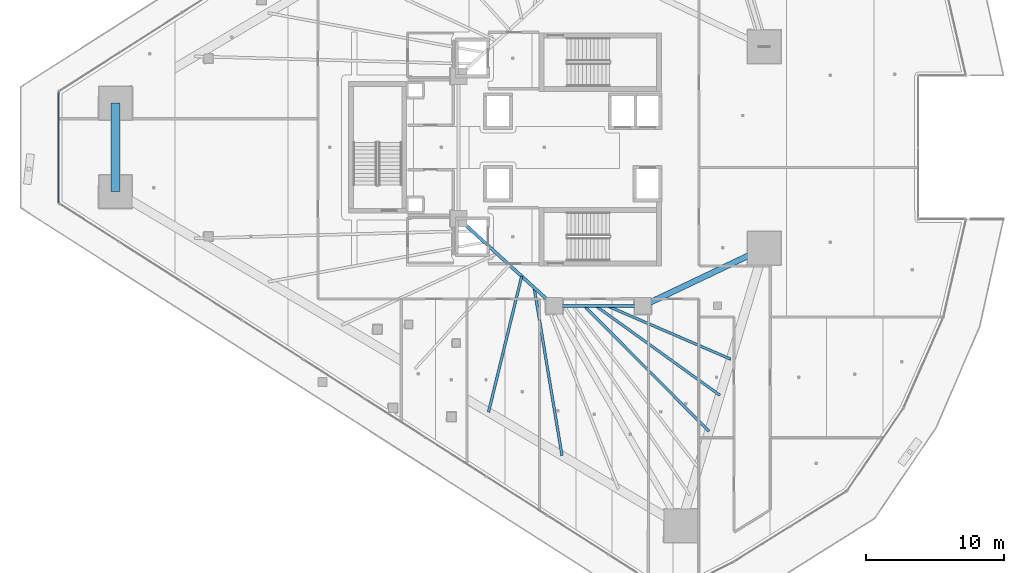
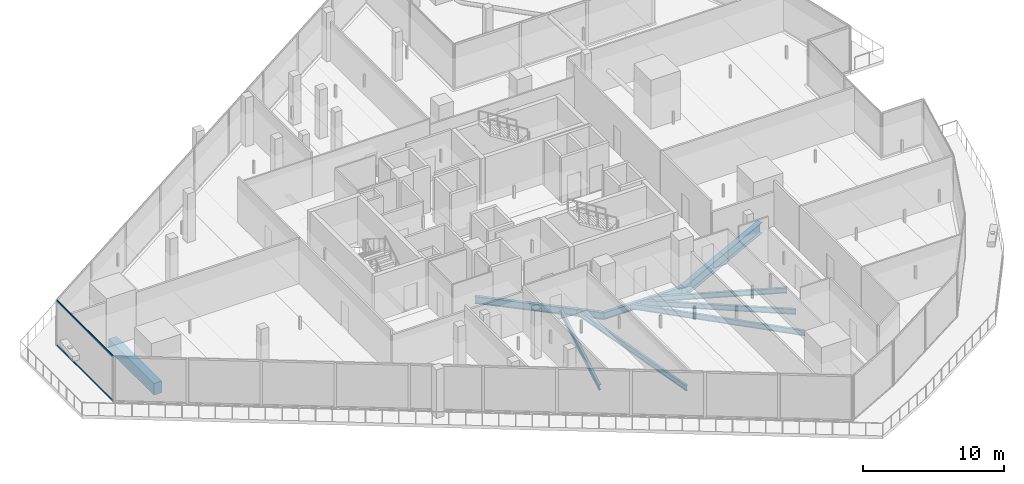
# One storey, part 11 of 44: 9 beams, 2 members, 1 element without a shape of its own.
"""IFC4 building model written with IfcOpenShell, lengths in metres."""

from ifc_helpers import new_model, si_unit, direction, frame, origin, origin_2d, place, context, subcontext, project, spatial, rectangle, hollow_rectangle, i_section, extrude, material, layer, layer_set, material_profile, profile_set, type_object, element, aggregate, save


model = new_model("IFC4")

# Units and contexts
model_context = context("Model", 3, precision=1e-05, world=origin(), true_north=direction((0.0, 1.0)))
body_context = subcontext(model_context, "Body", "Model", "MODEL_VIEW")
ifc_project = project(units=[si_unit("LENGTHUNIT", "METRE"), si_unit("AREAUNIT", "SQUARE_METRE"), si_unit("VOLUMEUNIT", "CUBIC_METRE"), si_unit("PLANEANGLEUNIT", "RADIAN"), si_unit("MASSUNIT", "GRAM", prefix="KILO")], contexts=[model_context])

# Site, building, storey
site_placement = place(None, origin())
site = spatial("IfcSite", under=ifc_project, at=site_placement, CompositionType="ELEMENT")
building_placement = place(site_placement, origin())
building = spatial("IfcBuilding", under=site, at=building_placement, Name="Qorvath Tower", CompositionType="ELEMENT")
storey_placement = place(building_placement, frame((0.0, 0.0, 78.60009765625)))
storey = spatial("IfcBuildingStorey", under=building, at=storey_placement, Name="L17", CompositionType="ELEMENT", Elevation=78.60009765625)

# Beams
ifc_material_1 = material(Name="Steel ASTM A992 Grade 50", Category="steel")
ifc_material_profile_1 = material_profile(ifc_material_1, i_section(OverallWidth=0.422119140625, OverallDepth=0.93310546875, WebThickness=0.021240234375, FlangeThickness=0.039794921875, FilletRadius=0.02392578125, at=origin_2d()), Name="W36x262")
ifc_profile_set_1 = profile_set([ifc_material_profile_1], Name="Steel ASTM A992 Grade 50")
beam_type_1 = type_object("IfcBeamType", Name="BM-FG1", PredefinedType="BEAM", material=ifc_profile_set_1)
beam_1_placement = place(storey_placement, frame((-17.199951171875, -11.449951171875, -0.74658203125), z_axis=(0.902955751435, 0.429733534821, 0.0), x_axis=(-0.429733534821, 0.902955751435, 0.0)))
element("IfcBeam", 1, at=beam_1_placement, inside=storey, type_object=beam_type_1, Name="Radial Floor Girder CC3-MC4 L17", PredefinedType="BEAM", context=body_context, shape_type="SweptSolid", body=[
    extrude(i_section(OverallWidth=0.422119140625, OverallDepth=0.93310546875, WebThickness=0.021240234375, FlangeThickness=0.039794921875, FilletRadius=0.02392578125, at=origin_2d()), origin(), (0.0, 0.0, 1.0), 9.7119140625),
])
ifc_material_2 = material(Name="Steel ASTM A992 Grade 50", Category="steel")
ifc_material_profile_2 = material_profile(ifc_material_2, i_section(OverallWidth=0.22998046875, OverallDepth=0.616943359375, WebThickness=0.01318359375, FlangeThickness=0.022216796875, FilletRadius=0.014892578125, at=origin_2d()), Name="W24x94")
ifc_profile_set_2 = profile_set([ifc_material_profile_2], Name="Steel ASTM A992 Grade 50")
beam_type_2 = type_object("IfcBeamType", Name="BM-FG6", PredefinedType="BEAM", material=ifc_profile_set_2)
beam_2_placement = place(storey_placement, frame((-17.199951171875, -11.449951171875, -0.58837890625), z_axis=(-1.0, 0.0, 0.0), x_axis=(0.0, -1.0, 0.0)))
element("IfcBeam", 2, at=beam_2_placement, inside=storey, type_object=beam_type_2, Name="Core Ring Girder CC3-CC4 L17", PredefinedType="BEAM", context=body_context, shape_type="SweptSolid", body=[
    extrude(i_section(OverallWidth=0.22998046875, OverallDepth=0.616943359375, WebThickness=0.01318359375, FlangeThickness=0.022216796875, FilletRadius=0.014892578125, at=origin_2d()), origin(), (0.0, 0.0, 1.0), 6.400146484375),
])
beam_3_placement = place(storey_placement, frame((-23.60009765625, -11.449951171875, -0.58837890625), z_axis=(-0.73847813985, 0.6742774184, 0.0), x_axis=(-0.6742774184, -0.73847813985, 0.0)))
element("IfcBeam", 3, at=beam_3_placement, inside=storey, type_object=beam_type_2, Name="Core Ring Girder CC4-CC6 L17", PredefinedType="BEAM", context=body_context, shape_type="SweptSolid", body=[
    extrude(i_section(OverallWidth=0.22998046875, OverallDepth=0.616943359375, WebThickness=0.01318359375, FlangeThickness=0.022216796875, FilletRadius=0.014892578125, at=origin_2d()), origin(), (0.0, 0.0, 1.0), 9.343505859375),
])
ifc_material_3 = material(Name="Steel ASTM A992 Grade 50", Category="steel")
ifc_material_profile_3 = material_profile(ifc_material_3, i_section(OverallWidth=0.18994140625, OverallDepth=0.45703125, WebThickness=0.009033203125, FlangeThickness=0.014404296875, FilletRadius=0.011962890625, at=origin_2d()), Name="W18x50")
ifc_profile_set_3 = profile_set([ifc_material_profile_3], Name="Steel ASTM A992 Grade 50")
beam_type_3 = type_object("IfcBeamType", Name="BM-FJ2", PredefinedType="JOIST", material=ifc_profile_set_3)
beam_4_placement = place(storey_placement, frame((-19.760009765625, -11.449951171875, -0.508544921875), z_axis=(0.918135537923, -0.396266493667, 0.0), x_axis=(0.396266493667, 0.918135537923, 0.0)))
element("IfcBeam", 4, at=beam_4_placement, inside=storey, type_object=beam_type_3, Name="Composite Floor Joist SE3 L17", PredefinedType="JOIST", context=body_context, shape_type="SweptSolid", body=[
    extrude(i_section(OverallWidth=0.18994140625, OverallDepth=0.45703125, WebThickness=0.009033203125, FlangeThickness=0.014404296875, FilletRadius=0.011962890625, at=origin_2d()), origin(), (0.0, 0.0, 1.0), 9.7109375),
])
beam_5_placement = place(storey_placement, frame((-20.592041015625, -11.449951171875, -0.508544921875), z_axis=(0.811469358397, -0.584394969505, 0.0), x_axis=(0.584394969505, 0.811469358397, 0.0)))
element("IfcBeam", 5, at=beam_5_placement, inside=storey, type_object=beam_type_3, Name="Composite Floor Joist SE4 L17", PredefinedType="JOIST", context=body_context, shape_type="SweptSolid", body=[
    extrude(i_section(OverallWidth=0.18994140625, OverallDepth=0.45703125, WebThickness=0.009033203125, FlangeThickness=0.014404296875, FilletRadius=0.011962890625, at=origin_2d()), origin(), (0.0, 0.0, 1.0), 11.046142578125),
])
beam_6_placement = place(storey_placement, frame((-21.424072265625, -11.449951171875, -0.508544921875), z_axis=(0.705107654599, -0.709100271771, 0.0), x_axis=(0.709100271771, 0.705107654599, 0.0)))
element("IfcBeam", 6, at=beam_6_placement, inside=storey, type_object=beam_type_3, Name="Composite Floor Joist SE5 L17", PredefinedType="JOIST", context=body_context, shape_type="SweptSolid", body=[
    extrude(i_section(OverallWidth=0.18994140625, OverallDepth=0.45703125, WebThickness=0.009033203125, FlangeThickness=0.014404296875, FilletRadius=0.011962890625, at=origin_2d()), origin(), (0.0, 0.0, 1.0), 12.780029296875),
])
beam_7_placement = place(storey_placement, frame((-25.946044921875, -9.30810546875, -0.508544921875), z_axis=(-0.237165308581, -0.97146930801, 0.0), x_axis=(0.97146930801, -0.237165308581, 0.0)))
element("IfcBeam", 7, at=beam_7_placement, inside=storey, type_object=beam_type_3, Name="Composite Floor Joist SW5 L17", PredefinedType="JOIST", context=body_context, shape_type="SweptSolid", body=[
    extrude(i_section(OverallWidth=0.18994140625, OverallDepth=0.45703125, WebThickness=0.009033203125, FlangeThickness=0.014404296875, FilletRadius=0.011962890625, at=origin_2d()), origin(), (0.0, 0.0, 1.0), 10.104736328125),
])
beam_8_placement = place(storey_placement, frame((-25.049072265625, -10.126953125, -0.508544921875), z_axis=(0.163639384475, -0.98652022374, 0.0), x_axis=(0.98652022374, 0.163639384475, 0.0)))
element("IfcBeam", 8, at=beam_8_placement, inside=storey, type_object=beam_type_3, Name="Composite Floor Joist SW6 L17", PredefinedType="JOIST", context=body_context, shape_type="SweptSolid", body=[
    extrude(i_section(OverallWidth=0.18994140625, OverallDepth=0.45703125, WebThickness=0.009033203125, FlangeThickness=0.014404296875, FilletRadius=0.011962890625, at=origin_2d()), origin(), (0.0, 0.0, 1.0), 12.301025390625),
])
ifc_material_4 = material(Name="Concrete C50/60", Category="concrete")
ifc_material_profile_4 = material_profile(ifc_material_4, rectangle(XDim=0.64990234375, YDim=1.0, at=origin_2d()), Name="RCB 1000x650")
ifc_profile_set_4 = profile_set([ifc_material_profile_4], Name="Concrete C50/60")
beam_type_4 = type_object("IfcBeamType", Name="BM-RCB1", PredefinedType="SPANDREL", material=ifc_profile_set_4)
beam_9_placement = place(storey_placement, frame((-55.282958984375, 3.194580078125, -0.780029296875), z_axis=(0.0, -1.0, 0.0), x_axis=(1.0, 0.0, 0.0)))
element("IfcBeam", 9, at=beam_9_placement, inside=storey, type_object=beam_type_4, Name="Perimeter Loggia Frame Beam MC1-MC2 L17", PredefinedType="SPANDREL", context=body_context, shape_type="SweptSolid", body=[
    extrude(rectangle(XDim=0.64990234375, YDim=1.0, at=origin_2d()), origin(), (0.0, 0.0, 1.0), 6.38916015625),
])

# Curtain wall, members
ifc_material_5 = material(Name="Anodised aluminium and triple low-E glass", Category="aluminium")
ifc_layer = layer(ifc_material_5, 0.179931640625)
ifc_layer_set = layer_set([ifc_layer], Name="CW-SYS-5")
curtain_wall_type = type_object("IfcCurtainWallType", Name="CW-SYS-5", PredefinedType="NOTDEFINED", material=ifc_layer_set)
curtain_wall_placement = place(storey_placement, origin())
curtain_wall = element("IfcCurtainWall", 10, at=curtain_wall_placement, inside=storey, type_object=curtain_wall_type, Name="Curtain Wall CW-5 CW-T-L17-5.1", PredefinedType="NOTDEFINED")
ifc_material_6 = material(Name="Anodised aluminium 6063-T6", Category="aluminium")
ifc_material_profile_5 = material_profile(ifc_material_6, hollow_rectangle(XDim=0.06494140625, YDim=0.159912109375, WallThickness=0.00341796875, InnerFilletRadius=0.00341796875, OuterFilletRadius=0.007080078125, at=origin_2d()), Name="CWT 160x65")
ifc_profile_set_5 = profile_set([ifc_material_profile_5], Name="Anodised aluminium 6063-T6")
member_type = type_object("IfcMemberType", Name="CWT-160", PredefinedType="USERDEFINED", material=ifc_profile_set_5)
member_1_placement = place(storey_placement, frame((-59.395751953125, 3.95556640625, 0.032470703125), z_axis=(0.0, -1.0, 0.0), x_axis=(1.0, 0.0, 0.0)))
member_1 = element("IfcMember", 11, at=member_1_placement, type_object=member_type, Name="CW-5 transom 1.1", ObjectType="TRANSOM", PredefinedType="USERDEFINED", context=body_context, shape_type="SweptSolid", body=[
    extrude(hollow_rectangle(XDim=0.06494140625, YDim=0.159912109375, WallThickness=0.00341796875, InnerFilletRadius=0.00341796875, OuterFilletRadius=0.007080078125, at=origin_2d()), origin(), (0.0, 0.0, 1.0), 7.9111328125),
])
member_2_placement = place(storey_placement, frame((-59.395751953125, 3.95556640625, 3.887451171875), z_axis=(0.0, -1.0, 0.0), x_axis=(1.0, 0.0, 0.0)))
member_2 = element("IfcMember", 12, at=member_2_placement, type_object=member_type, Name="CW-5 transom 1.2", ObjectType="TRANSOM", PredefinedType="USERDEFINED", context=body_context, shape_type="SweptSolid", body=[
    extrude(hollow_rectangle(XDim=0.06494140625, YDim=0.159912109375, WallThickness=0.00341796875, InnerFilletRadius=0.00341796875, OuterFilletRadius=0.007080078125, at=origin_2d()), origin(), (0.0, 0.0, 1.0), 7.9111328125),
])
aggregate(curtain_wall, [member_1, member_2])

save(model, "model.ifc")
